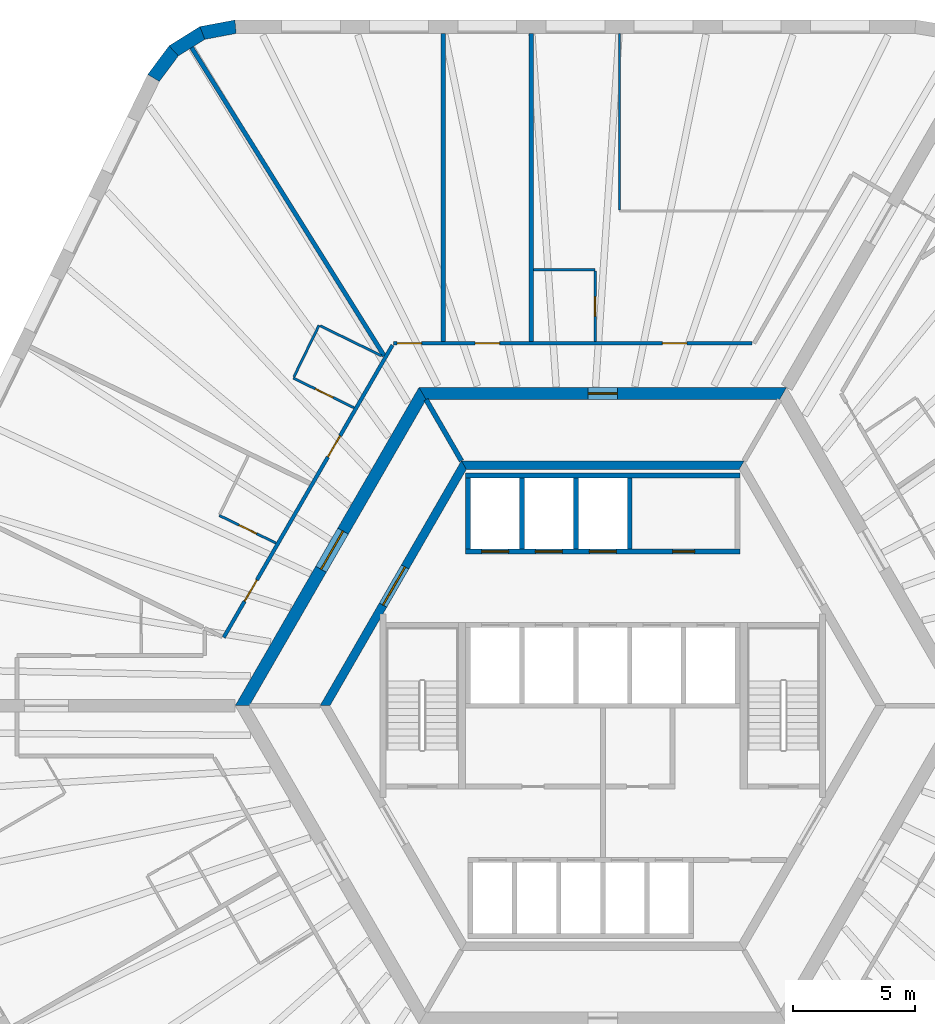
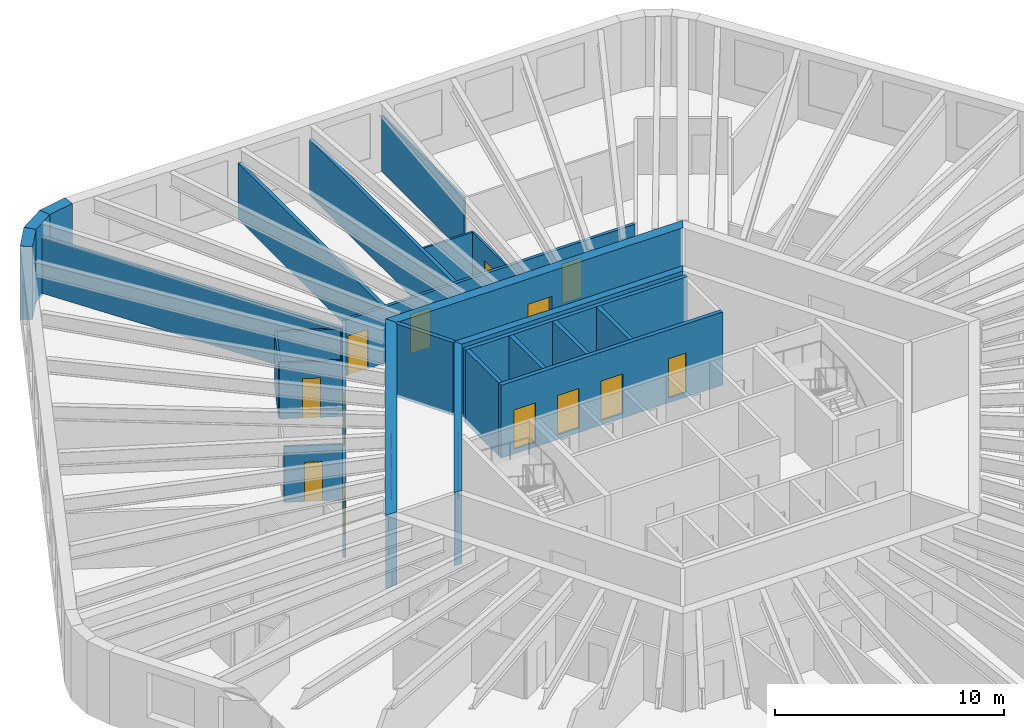
# One storey, part 7 of 10: 26 walls, 15 doors, 15 openings.
"""IFC4 building model written with IfcOpenShell, lengths in metres."""

from ifc_helpers import new_model, si_unit, direction, frame, frame_2d, origin, place, context, subcontext, project, spatial, polyline, rectangle, outline, extrude, material, layer, layer_set, type_object, element, fill, save


model = new_model("IFC4")

# Units and contexts
model_context = context("Model", 3, precision=1e-05, world=origin(), true_north=direction((0.0, 1.0)))
body_context = subcontext(model_context, "Body", "Model", "MODEL_VIEW")
ifc_project = project(units=[si_unit("LENGTHUNIT", "METRE"), si_unit("AREAUNIT", "SQUARE_METRE"), si_unit("VOLUMEUNIT", "CUBIC_METRE"), si_unit("PLANEANGLEUNIT", "RADIAN"), si_unit("MASSUNIT", "GRAM", prefix="KILO")], contexts=[model_context])

# Site, building, storey
site_placement = place(None, origin())
site = spatial("IfcSite", under=ifc_project, at=site_placement, CompositionType="ELEMENT")
building_placement = place(site_placement, origin())
building = spatial("IfcBuilding", under=site, at=building_placement, Name="Tarnside Tower", CompositionType="ELEMENT")
storey_placement = place(building_placement, frame((0.0, 0.0, 230.699951171875)))
storey = spatial("IfcBuildingStorey", under=building, at=storey_placement, Name="L55", CompositionType="ELEMENT", Elevation=230.699951171875)

# Wall
ifc_material_1 = material(Name="Gypsum board partition on steel studs", Category="steel")
ifc_layer_1 = layer(ifc_material_1, 0.10009765625)
ifc_layer_set_1 = layer_set([ifc_layer_1], Name="Bathroom wall 100")
wall_type_1 = type_object("IfcWallType", Name="Bathroom wall 100", PredefinedType="PARTITIONING", material=ifc_layer_set_1)
wall_1_placement = place(storey_placement, frame((-2.827880859375, 17.800048828125, 0.0), z_axis=(0.0, 0.0, 1.0), x_axis=(1.0, 0.0, 0.0)))
element("IfcWall", 1, at=wall_1_placement, inside=storey, type_object=wall_type_1, Name="Bathroom wall 18051", PredefinedType="PARTITIONING", context=body_context, shape_type="SweptSolid", body=[
    extrude(rectangle(XDim=2.510009765625, YDim=0.10009765625, at=frame_2d((1.2548828125, 0.0))), origin(), (0.0, 0.0, 1.0), 2.98779296875),
])

# Wall, opening, door
wall_2_placement = place(storey_placement, frame((-0.31787109375, 17.75, 0.0), z_axis=(0.0, 0.0, 1.0), x_axis=(0.0, -1.0, 0.0)))
wall_2 = element("IfcWall", 2, at=wall_2_placement, inside=storey, type_object=wall_type_1, Name="Bathroom wall 18052", PredefinedType="PARTITIONING", context=body_context, shape_type="SweptSolid", body=[
    extrude(rectangle(XDim=2.875, YDim=0.10009765625, at=frame_2d((1.4375, 0.0))), origin(), (0.0, 0.0, 1.0), 2.98779296875),
])
opening_1_placement = place(wall_2_placement, frame((1.050048828125, 0.0, 0.0)))
opening_1 = element("IfcOpeningElement", 3, at=opening_1_placement, cuts=wall_2, Name="Opening D-B1", PredefinedType="OPENING", context=body_context, shape_type="SweptSolid", body=[
    extrude(rectangle(XDim=0.800048828125, YDim=2.10009765625, at=frame_2d((0.39990234375, 1.050048828125))), frame((0.0, 0.06005859375, 0.0), z_axis=(0.0, -1.0, 0.0), x_axis=(1.0, 0.0, 0.0)), (0.0, 0.0, 1.0), 0.1201171875),
])
ifc_material_2 = material(Name="Timber door leaf", Category="wood")
door_type_1 = type_object("IfcDoorType", Name="Bathroom door 800", OperationType="NOTDEFINED", PredefinedType="DOOR", material=ifc_material_2)
door_1_placement = place(opening_1_placement, origin())
door_1 = element("IfcDoor", 4, at=door_1_placement, inside=storey, type_object=door_type_1, Name="Bathroom door 18002", OperationType="SINGLE_SWING_LEFT", OverallHeight=2.10009765625, OverallWidth=0.800048828125, PredefinedType="DOOR", context=body_context, shape_type="SweptSolid", body=[
    extrude(rectangle(XDim=0.800048828125, YDim=2.10009765625, at=frame_2d((0.39990234375, 1.050048828125))), frame((0.0, 0.02490234375, 0.0), z_axis=(0.0, -1.0, 0.0), x_axis=(1.0, 0.0, 0.0)), (0.0, 0.0, 1.0), 0.050048828125),
])
fill(opening_1, door_1)

wall_3_placement = place(storey_placement, frame((-10.153076171875, 12.164306640625, 0.0), z_axis=(0.0, 0.0, 1.0), x_axis=(-0.898780323471, 0.438399281638, 0.0)))
wall_3 = element("IfcWall", 5, at=wall_3_placement, inside=storey, type_object=wall_type_1, Name="Bathroom wall 18059", PredefinedType="PARTITIONING", context=body_context, shape_type="SweptSolid", body=[
    extrude(rectangle(XDim=2.765625, YDim=0.10009765625, at=frame_2d((1.3828125, 0.0))), origin(), (0.0, 0.0, 1.0), 2.98779296875),
])
opening_2_placement = place(wall_3_placement, frame((0.965576171875, 0.0, 0.0)))
opening_2 = element("IfcOpeningElement", 6, at=opening_2_placement, cuts=wall_3, Name="Opening D-B1", PredefinedType="OPENING", context=body_context, shape_type="SweptSolid", body=[
    extrude(rectangle(XDim=0.800048828125, YDim=2.10009765625, at=frame_2d((0.39990234375, 1.050048828125))), frame((0.0, 0.06005859375, 0.0), z_axis=(0.0, -1.0, 0.0), x_axis=(1.0, 0.0, 0.0)), (0.0, 0.0, 1.0), 0.1201171875),
])
door_2_placement = place(opening_2_placement, origin())
door_2 = element("IfcDoor", 7, at=door_2_placement, inside=storey, type_object=door_type_1, Name="Bathroom door 18007", OperationType="SINGLE_SWING_LEFT", OverallHeight=2.10009765625, OverallWidth=0.800048828125, PredefinedType="DOOR", context=body_context, shape_type="SweptSolid", body=[
    extrude(rectangle(XDim=0.800048828125, YDim=2.10009765625, at=frame_2d((0.39990234375, 1.050048828125))), frame((0.0, 0.02490234375, 0.0), z_axis=(0.0, -1.0, 0.0), x_axis=(1.0, 0.0, 0.0)), (0.0, 0.0, 1.0), 0.050048828125),
])
fill(opening_2, door_2)

# Walls
wall_4_placement = place(storey_placement, frame((-12.61669921875, 13.421630859375, 0.0), z_axis=(0.0, 0.0, 1.0), x_axis=(0.438298773825, 0.898829341345, 0.0)))
element("IfcWall", 8, at=wall_4_placement, inside=storey, type_object=wall_type_1, Name="Bathroom wall 18060", PredefinedType="PARTITIONING", context=body_context, shape_type="SweptSolid", body=[
    extrude(rectangle(XDim=2.35009765625, YDim=0.10009765625, at=frame_2d((1.175048828125, 0.0))), origin(), (0.0, 0.0, 1.0), 2.98779296875),
])
wall_5_placement = place(storey_placement, frame((-11.541748046875, 15.511962890625, 0.0), z_axis=(0.0, 0.0, 1.0), x_axis=(0.898813033265, -0.438332215599, 0.0)))
element("IfcWall", 9, at=wall_5_placement, inside=storey, type_object=wall_type_1, Name="Bathroom wall 18061", PredefinedType="PARTITIONING", context=body_context, shape_type="SweptSolid", body=[
    extrude(rectangle(XDim=2.788818359375, YDim=0.10009765625, at=frame_2d((1.39453125, 0.0))), origin(), (0.0, 0.0, 1.0), 2.98779296875),
])

# Wall, opening, door
wall_6_placement = place(storey_placement, frame((-13.343017578125, 6.63916015625, 0.0), z_axis=(0.0, 0.0, 1.0), x_axis=(-0.898792082907, 0.438375172318, 0.0)))
wall_6 = element("IfcWall", 10, at=wall_6_placement, inside=storey, type_object=wall_type_1, Name="Bathroom wall 18064", PredefinedType="PARTITIONING", context=body_context, shape_type="SweptSolid", body=[
    extrude(rectangle(XDim=2.580810546875, YDim=0.10009765625, at=frame_2d((1.29052734375, 0.0))), origin(), (0.0, 0.0, 1.0), 2.98779296875),
])
opening_3_placement = place(wall_6_placement, frame((0.880859375, 0.0, 0.0)))
opening_3 = element("IfcOpeningElement", 11, at=opening_3_placement, cuts=wall_6, Name="Opening D-B1", PredefinedType="OPENING", context=body_context, shape_type="SweptSolid", body=[
    extrude(rectangle(XDim=0.800048828125, YDim=2.10009765625, at=frame_2d((0.39990234375, 1.050048828125))), frame((0.0, 0.06005859375, 0.0), z_axis=(0.0, -1.0, 0.0), x_axis=(1.0, 0.0, 0.0)), (0.0, 0.0, 1.0), 0.1201171875),
])
door_3_placement = place(opening_3_placement, origin())
door_3 = element("IfcDoor", 12, at=door_3_placement, inside=storey, type_object=door_type_1, Name="Bathroom door 18009", OperationType="SINGLE_SWING_RIGHT", OverallHeight=2.10009765625, OverallWidth=0.800048828125, PredefinedType="DOOR", context=body_context, shape_type="SweptSolid", body=[
    extrude(rectangle(XDim=0.800048828125, YDim=2.10009765625, at=frame_2d((0.39990234375, 1.050048828125))), frame((0.0, 0.02490234375, 0.0), z_axis=(0.0, -1.0, 0.0), x_axis=(1.0, 0.0, 0.0)), (0.0, 0.0, 1.0), 0.050048828125),
])
fill(opening_3, door_3)

ifc_material_3 = material(Name="Concrete C50/60", Category="concrete")
ifc_layer_2 = layer(ifc_material_3, 0.35009765625)
ifc_layer_set_2 = layer_set([ifc_layer_2], Name="Core block wall 350 C50/60")
wall_type_2 = type_object("IfcWallType", Name="Core block wall 350 C50/60", PredefinedType="SHEAR", material=ifc_layer_set_2)
wall_7_placement = place(storey_placement, frame((-5.672607421875, 9.824951171875, -0.14990234375), z_axis=(0.0, 0.0, 1.0), x_axis=(-0.499995046907, -0.866028263435, 0.0)))
wall_7 = element("IfcWall", 13, at=wall_7_placement, inside=storey, type_object=wall_type_2, Name="L55 core block wall face 2", PredefinedType="SHEAR", context=body_context, shape_type="SweptSolid", body=[
    extrude(outline(polyline([(-0.10107421875, -0.175048828125), (11.44580078125, -0.175048828125), (11.24365234375, 0.175048828125), (0.10107421875, 0.175048828125), (-0.10107421875, -0.175048828125)])), origin(), (0.0, 0.0, 1.0), 3.89990234375),
])
opening_4_placement = place(wall_7_placement, frame((4.80126953125, 0.0, 0.14990234375)))
opening_4 = element("IfcOpeningElement", 14, at=opening_4_placement, cuts=wall_7, Name="Opening CD-LOB", PredefinedType="OPENING", context=body_context, shape_type="SweptSolid", body=[
    extrude(rectangle(XDim=1.800048828125, YDim=2.39990234375, at=frame_2d((0.89990234375, 1.199951171875))), frame((0.0, 0.18505859375, 0.0), z_axis=(0.0, -1.0, 0.0), x_axis=(1.0, 0.0, 0.0)), (0.0, 0.0, 1.0), 0.3701171875),
])
ifc_material_4 = material(Name="Steel fire door", Category="steel")
door_type_2 = type_object("IfcDoorType", Name="Lobby double door FD30S 1800x2400", OperationType="NOTDEFINED", PredefinedType="DOOR", material=ifc_material_4)
door_4_placement = place(opening_4_placement, origin())
door_4 = element("IfcDoor", 15, at=door_4_placement, inside=storey, type_object=door_type_2, Name="L55 lobby block door P1", OperationType="DOUBLE_DOOR_SINGLE_SWING", OverallHeight=2.39990234375, OverallWidth=1.800048828125, PredefinedType="DOOR", context=body_context, shape_type="SweptSolid", body=[
    extrude(rectangle(XDim=1.800048828125, YDim=2.39990234375, at=frame_2d((0.89990234375, 1.199951171875))), frame((0.0, 0.02490234375, 0.0), z_axis=(0.0, -1.0, 0.0), x_axis=(1.0, 0.0, 0.0)), (0.0, 0.0, 1.0), 0.050048828125),
])
fill(opening_4, door_4)

# Wall
wall_8_placement = place(storey_placement, frame((5.672607421875, 9.824951171875, -0.14990234375), z_axis=(0.0, 0.0, 1.0), x_axis=(-1.0, 0.0, 0.0)))
element("IfcWall", 16, at=wall_8_placement, inside=storey, type_object=wall_type_2, Name="L55 core block wall face 1", PredefinedType="SHEAR", context=body_context, shape_type="SweptSolid", body=[
    extrude(outline(polyline([(-0.10107421875, -0.175048828125), (11.4462890625, -0.175048828125), (11.244140625, 0.175048828125), (0.10107421875, 0.175048828125), (-0.10107421875, -0.175048828125)])), origin(), (0.0, 0.0, 1.0), 3.89990234375),
])

# Wall, opening, door
ifc_material_5 = material(Name="Concrete C70/85", Category="concrete")
ifc_layer_3 = layer(ifc_material_5, 0.5)
ifc_layer_set_3 = layer_set([ifc_layer_3], Name="Core wall Z2 500 C70/85")
wall_type_3 = type_object("IfcWallType", Name="Core wall Z2 500 C70/85", PredefinedType="SHEAR", material=ifc_layer_set_3)
wall_9_placement = place(storey_placement, frame((-7.361083984375, 12.75, -0.14990234375), z_axis=(0.0, 0.0, 1.0), x_axis=(-0.50000571537, -0.866022103989, 0.0)))
wall_9 = element("IfcWall", 17, at=wall_9_placement, inside=storey, type_object=wall_type_3, Name="L55 core wall face 2", PredefinedType="SHEAR", context=body_context, shape_type="SweptSolid", body=[
    extrude(outline(polyline([(-0.144287109375, -0.25), (14.86669921875, -0.25), (14.578125, 0.25), (0.144287109375, 0.25), (-0.144287109375, -0.25)])), origin(), (0.0, 0.0, 1.0), 3.89990234375),
])
opening_5_placement = place(wall_9_placement, frame((6.489990234375, 0.0, 0.14990234375)))
opening_5 = element("IfcOpeningElement", 18, at=opening_5_placement, cuts=wall_9, Name="Opening CD-LOB", PredefinedType="OPENING", context=body_context, shape_type="SweptSolid", body=[
    extrude(rectangle(XDim=1.800048828125, YDim=2.39990234375, at=frame_2d((0.89990234375, 1.199951171875))), frame((0.0, 0.260009765625, 0.0), z_axis=(0.0, -1.0, 0.0), x_axis=(1.0, 0.0, 0.0)), (0.0, 0.0, 1.0), 0.52001953125),
])
door_5_placement = place(opening_5_placement, origin())
door_5 = element("IfcDoor", 19, at=door_5_placement, inside=storey, type_object=door_type_2, Name="L55 core door P1", OperationType="DOUBLE_DOOR_SINGLE_SWING", OverallHeight=2.39990234375, OverallWidth=1.800048828125, PredefinedType="DOOR", context=body_context, shape_type="SweptSolid", body=[
    extrude(rectangle(XDim=1.800048828125, YDim=2.39990234375, at=frame_2d((0.89990234375, 1.199951171875))), frame((0.0, 0.02490234375, 0.0), z_axis=(0.0, -1.0, 0.0), x_axis=(1.0, 0.0, 0.0)), (0.0, 0.0, 1.0), 0.050048828125),
])
fill(opening_5, door_5)

wall_10_placement = place(storey_placement, frame((7.361083984375, 12.75, -0.14990234375), z_axis=(0.0, 0.0, 1.0), x_axis=(-1.0, 0.0, 0.0)))
wall_10 = element("IfcWall", 20, at=wall_10_placement, inside=storey, type_object=wall_type_3, Name="L55 core wall face 1", PredefinedType="SHEAR", context=body_context, shape_type="SweptSolid", body=[
    extrude(outline(polyline([(-0.144287109375, -0.25), (14.866455078125, -0.25), (14.577880859375, 0.25), (0.144287109375, 0.25), (-0.144287109375, -0.25)])), origin(), (0.0, 0.0, 1.0), 3.89990234375),
])
opening_6_placement = place(wall_10_placement, frame((6.76123046875, 0.0, 0.14990234375)))
opening_6 = element("IfcOpeningElement", 21, at=opening_6_placement, cuts=wall_10, Name="Opening CD-RSR", PredefinedType="OPENING", context=body_context, shape_type="SweptSolid", body=[
    extrude(rectangle(XDim=1.199951171875, YDim=2.39990234375, at=frame_2d((0.60009765625, 1.199951171875))), frame((0.0, 0.260009765625, 0.0), z_axis=(0.0, -1.0, 0.0), x_axis=(1.0, 0.0, 0.0)), (0.0, 0.0, 1.0), 0.52001953125),
])
door_type_3 = type_object("IfcDoorType", Name="Riser door FD60 1200x2400", OperationType="NOTDEFINED", PredefinedType="DOOR", material=ifc_material_4)
door_6_placement = place(opening_6_placement, origin())
door_6 = element("IfcDoor", 22, at=door_6_placement, inside=storey, type_object=door_type_3, Name="L55 core door S5", OperationType="SINGLE_SWING_LEFT", OverallHeight=2.39990234375, OverallWidth=1.199951171875, PredefinedType="DOOR", context=body_context, shape_type="SweptSolid", body=[
    extrude(rectangle(XDim=1.199951171875, YDim=2.39990234375, at=frame_2d((0.60009765625, 1.199951171875))), frame((0.0, 0.02490234375, 0.0), z_axis=(0.0, -1.0, 0.0), x_axis=(1.0, 0.0, 0.0)), (0.0, 0.0, 1.0), 0.050048828125),
])
fill(opening_6, door_6)

# Wall, openings, doors
ifc_layer_4 = layer(ifc_material_1, 0.14990234375)
ifc_layer_set_4 = layer_set([ifc_layer_4], Name="Corridor wall 150 EI 60")
wall_type_4 = type_object("IfcWallType", Name="Corridor wall 150 EI 60", PredefinedType="PARTITIONING", material=ifc_layer_set_4)
wall_11_placement = place(storey_placement, frame((6.091064453125, 14.800048828125, 0.0), z_axis=(0.0, 0.0, 1.0), x_axis=(-1.0, 0.0, 0.0)))
wall_11 = element("IfcWall", 23, at=wall_11_placement, inside=storey, type_object=wall_type_4, Name="Corridor wall 18002", PredefinedType="PARTITIONING", context=body_context, shape_type="SweptSolid", body=[
    extrude(rectangle(XDim=14.6357421875, YDim=0.14990234375, at=frame_2d((7.31787109375, 0.0))), origin(), (0.0, 0.0, 1.0), 2.98779296875),
])
opening_7_placement = place(wall_11_placement, frame((2.6611328125, 0.0, 0.0)))
opening_7 = element("IfcOpeningElement", 24, at=opening_7_placement, cuts=wall_11, Name="Opening D-E1", PredefinedType="OPENING", context=body_context, shape_type="SweptSolid", body=[
    extrude(rectangle(XDim=1.0, YDim=2.10009765625, at=frame_2d((0.5, 1.050048828125))), frame((0.0, 0.0849609375, 0.0), z_axis=(0.0, -1.0, 0.0), x_axis=(1.0, 0.0, 0.0)), (0.0, 0.0, 1.0), 0.169921875),
])
opening_8_placement = place(wall_11_placement, frame((10.308837890625, 0.0, 0.0)))
opening_8 = element("IfcOpeningElement", 25, at=opening_8_placement, cuts=wall_11, Name="Opening D-E1", PredefinedType="OPENING", context=body_context, shape_type="SweptSolid", body=[
    extrude(rectangle(XDim=1.0, YDim=2.10009765625, at=frame_2d((0.5, 1.050048828125))), frame((0.0, 0.0849609375, 0.0), z_axis=(0.0, -1.0, 0.0), x_axis=(1.0, 0.0, 0.0)), (0.0, 0.0, 1.0), 0.169921875),
])
opening_9_placement = place(wall_11_placement, frame((13.48583984375, 0.0, 0.0)))
opening_9 = element("IfcOpeningElement", 26, at=opening_9_placement, cuts=wall_11, Name="Opening D-E1", PredefinedType="OPENING", context=body_context, shape_type="SweptSolid", body=[
    extrude(rectangle(XDim=1.0, YDim=2.10009765625, at=frame_2d((0.5, 1.050048828125))), frame((0.0, 0.0849609375, 0.0), z_axis=(0.0, -1.0, 0.0), x_axis=(1.0, 0.0, 0.0)), (0.0, 0.0, 1.0), 0.169921875),
])
door_type_4 = type_object("IfcDoorType", Name="Unit entrance door 1000 FD30S", OperationType="NOTDEFINED", PredefinedType="DOOR", material=ifc_material_2)
door_7_placement = place(opening_7_placement, origin())
door_7 = element("IfcDoor", 27, at=door_7_placement, inside=storey, type_object=door_type_4, Name="Unit door 18001", OperationType="SINGLE_SWING_RIGHT", OverallHeight=2.10009765625, OverallWidth=1.0, PredefinedType="DOOR", context=body_context, shape_type="SweptSolid", body=[
    extrude(rectangle(XDim=1.0, YDim=2.10009765625, at=frame_2d((0.5, 1.050048828125))), frame((0.0, 0.02490234375, 0.0), z_axis=(0.0, -1.0, 0.0), x_axis=(1.0, 0.0, 0.0)), (0.0, 0.0, 1.0), 0.050048828125),
])
fill(opening_7, door_7)
door_8_placement = place(opening_8_placement, origin())
door_8 = element("IfcDoor", 28, at=door_8_placement, inside=storey, type_object=door_type_4, Name="Unit door 18004", OperationType="SINGLE_SWING_RIGHT", OverallHeight=2.10009765625, OverallWidth=1.0, PredefinedType="DOOR", context=body_context, shape_type="SweptSolid", body=[
    extrude(rectangle(XDim=1.0, YDim=2.10009765625, at=frame_2d((0.5, 1.050048828125))), frame((0.0, 0.02490234375, 0.0), z_axis=(0.0, -1.0, 0.0), x_axis=(1.0, 0.0, 0.0)), (0.0, 0.0, 1.0), 0.050048828125),
])
fill(opening_8, door_8)
door_9_placement = place(opening_9_placement, origin())
door_9 = element("IfcDoor", 29, at=door_9_placement, inside=storey, type_object=door_type_4, Name="Unit door 18005", OperationType="SINGLE_SWING_LEFT", OverallHeight=2.10009765625, OverallWidth=1.0, PredefinedType="DOOR", context=body_context, shape_type="SweptSolid", body=[
    extrude(rectangle(XDim=1.0, YDim=2.10009765625, at=frame_2d((0.5, 1.050048828125))), frame((0.0, 0.02490234375, 0.0), z_axis=(0.0, -1.0, 0.0), x_axis=(1.0, 0.0, 0.0)), (0.0, 0.0, 1.0), 0.050048828125),
])
fill(opening_9, door_9)

wall_12_placement = place(storey_placement, frame((-8.588134765625, 14.72509765625, 0.0), z_axis=(0.0, 0.0, 1.0), x_axis=(-0.499999926766, -0.866025446066, 0.0)))
wall_12 = element("IfcWall", 30, at=wall_12_placement, inside=storey, type_object=wall_type_4, Name="Corridor wall 18008", PredefinedType="PARTITIONING", context=body_context, shape_type="SweptSolid", body=[
    extrude(rectangle(XDim=13.78564453125, YDim=0.14990234375, at=frame_2d((6.892822265625, 0.0))), origin(), (0.0, 0.0, 1.0), 2.98779296875),
])
opening_10_placement = place(wall_12_placement, frame((4.275634765625, 0.0, 0.0)))
opening_10 = element("IfcOpeningElement", 31, at=opening_10_placement, cuts=wall_12, Name="Opening D-E1", PredefinedType="OPENING", context=body_context, shape_type="SweptSolid", body=[
    extrude(rectangle(XDim=1.0, YDim=2.10009765625, at=frame_2d((0.5, 1.050048828125))), frame((0.0, 0.0849609375, 0.0), z_axis=(0.0, -1.0, 0.0), x_axis=(1.0, 0.0, 0.0)), (0.0, 0.0, 1.0), 0.169921875),
])
opening_11_placement = place(wall_12_placement, frame((11.073486328125, 0.0, 0.0)))
opening_11 = element("IfcOpeningElement", 32, at=opening_11_placement, cuts=wall_12, Name="Opening D-E1", PredefinedType="OPENING", context=body_context, shape_type="SweptSolid", body=[
    extrude(rectangle(XDim=1.0, YDim=2.10009765625, at=frame_2d((0.5, 1.050048828125))), frame((0.0, 0.0849609375, 0.0), z_axis=(0.0, -1.0, 0.0), x_axis=(1.0, 0.0, 0.0)), (0.0, 0.0, 1.0), 0.169921875),
])
door_10_placement = place(opening_10_placement, origin())
door_10 = element("IfcDoor", 33, at=door_10_placement, inside=storey, type_object=door_type_4, Name="Unit door 18006", OperationType="SINGLE_SWING_LEFT", OverallHeight=2.10009765625, OverallWidth=1.0, PredefinedType="DOOR", context=body_context, shape_type="SweptSolid", body=[
    extrude(rectangle(XDim=1.0, YDim=2.10009765625, at=frame_2d((0.5, 1.050048828125))), frame((0.0, 0.02490234375, 0.0), z_axis=(0.0, -1.0, 0.0), x_axis=(1.0, 0.0, 0.0)), (0.0, 0.0, 1.0), 0.050048828125),
])
fill(opening_10, door_10)
door_11_placement = place(opening_11_placement, origin())
door_11 = element("IfcDoor", 34, at=door_11_placement, inside=storey, type_object=door_type_4, Name="Unit door 18008", OperationType="SINGLE_SWING_LEFT", OverallHeight=2.10009765625, OverallWidth=1.0, PredefinedType="DOOR", context=body_context, shape_type="SweptSolid", body=[
    extrude(rectangle(XDim=1.0, YDim=2.10009765625, at=frame_2d((0.5, 1.050048828125))), frame((0.0, 0.02490234375, 0.0), z_axis=(0.0, -1.0, 0.0), x_axis=(1.0, 0.0, 0.0)), (0.0, 0.0, 1.0), 0.050048828125),
])
fill(opening_11, door_11)

# Walls
ifc_layer_5 = layer(ifc_material_1, 0.179931640625)
ifc_layer_set_5 = layer_set([ifc_layer_5], Name="Demising wall 180 EI 60")
wall_type_5 = type_object("IfcWallType", Name="Demising wall 180 EI 60", PredefinedType="PARTITIONING", material=ifc_layer_set_5)
for number, where, z_axis, x_axis, name in (
    (35, (-2.91796875, 27.449951171875, 0.0), (0.0, 0.0, 1.0), (0.0, -1.0, 0.0), "Demising wall 18055"),
    (36, (-6.517822265625, 27.449951171875, 0.0), (0.0, 0.0, 1.0), (0.0, -1.0, 0.0), "Demising wall 18057"),
):
    element("IfcWall", number, at=place(storey_placement, frame(where, z_axis=z_axis, x_axis=x_axis)), inside=storey, type_object=wall_type_5, Name=name, PredefinedType="PARTITIONING", context=body_context, shape_type="SweptSolid", body=[
        extrude(rectangle(XDim=12.574951171875, YDim=0.179931640625, at=frame_2d((6.28759765625, 0.0))), origin(), (0.0, 0.0, 1.0), 2.98779296875),
    ])
wall_13_placement = place(storey_placement, frame((-16.791015625, 26.87109375, 0.0), z_axis=(0.0, 0.0, 1.0), x_axis=(0.529927950822, -0.848042668111, 0.0)))
element("IfcWall", 37, at=wall_13_placement, inside=storey, type_object=wall_type_5, Name="Demising wall 18058", PredefinedType="PARTITIONING", context=body_context, shape_type="SweptSolid", body=[
    extrude(rectangle(XDim=14.8388671875, YDim=0.179931640625, at=frame_2d((7.41943359375, 0.0))), origin(), (0.0, 0.0, 1.0), 2.98779296875),
])

# Wall, openings, doors
ifc_material_6 = material(Name="Concrete C40/50", Category="concrete")
ifc_layer_6 = layer(ifc_material_6, 0.199951171875)
ifc_layer_set_6 = layer_set([ifc_layer_6], Name="Lift shaft wall 200 C40/50")
wall_type_6 = type_object("IfcWallType", Name="Lift shaft wall 200 C40/50", PredefinedType="SHEAR", material=ifc_layer_set_6)
wall_14_placement = place(storey_placement, frame((-5.60009765625, 6.300048828125, -0.25), z_axis=(0.0, 0.0, 1.0), x_axis=(1.0, 0.0, 0.0)))
wall_14 = element("IfcWall", 38, at=wall_14_placement, inside=storey, type_object=wall_type_6, Name="L55 lift shaft front wall R1", PredefinedType="SHEAR", context=body_context, shape_type="SweptSolid", body=[
    extrude(rectangle(XDim=11.2001953125, YDim=0.199951171875, at=frame_2d((5.60009765625, 0.0))), origin(), (0.0, 0.0, 1.0), 3.900146484375),
])
opening_12_placement = place(wall_14_placement, frame((8.449951171875, 0.0, 0.25)))
opening_12 = element("IfcOpeningElement", 39, at=opening_12_placement, cuts=wall_14, Name="Opening CD-room", PredefinedType="OPENING", context=body_context, shape_type="SweptSolid", body=[
    extrude(rectangle(XDim=0.89990234375, YDim=2.10009765625, at=frame_2d((0.449951171875, 1.050048828125))), frame((0.0, 0.10986328125, 0.0), z_axis=(0.0, -1.0, 0.0), x_axis=(1.0, 0.0, 0.0)), (0.0, 0.0, 1.0), 0.219970703125),
])
opening_13_placement = place(wall_14_placement, frame((0.64990234375, 0.0, 0.25)))
opening_13 = element("IfcOpeningElement", 40, at=opening_13_placement, cuts=wall_14, Name="Opening LD", PredefinedType="OPENING", context=body_context, shape_type="SweptSolid", body=[
    extrude(rectangle(XDim=1.10009765625, YDim=2.10009765625, at=frame_2d((0.550048828125, 1.050048828125))), frame((0.0, 0.10986328125, 0.0), z_axis=(0.0, -1.0, 0.0), x_axis=(1.0, 0.0, 0.0)), (0.0, 0.0, 1.0), 0.219970703125),
])
opening_14_placement = place(wall_14_placement, frame((2.85009765625, 0.0, 0.25)))
opening_14 = element("IfcOpeningElement", 41, at=opening_14_placement, cuts=wall_14, Name="Opening LD", PredefinedType="OPENING", context=body_context, shape_type="SweptSolid", body=[
    extrude(rectangle(XDim=1.10009765625, YDim=2.10009765625, at=frame_2d((0.550048828125, 1.050048828125))), frame((0.0, 0.10986328125, 0.0), z_axis=(0.0, -1.0, 0.0), x_axis=(1.0, 0.0, 0.0)), (0.0, 0.0, 1.0), 0.219970703125),
])
opening_15_placement = place(wall_14_placement, frame((5.050048828125, 0.0, 0.25)))
opening_15 = element("IfcOpeningElement", 42, at=opening_15_placement, cuts=wall_14, Name="Opening LD", PredefinedType="OPENING", context=body_context, shape_type="SweptSolid", body=[
    extrude(rectangle(XDim=1.10009765625, YDim=2.10009765625, at=frame_2d((0.550048828125, 1.050048828125))), frame((0.0, 0.10986328125, 0.0), z_axis=(0.0, -1.0, 0.0), x_axis=(1.0, 0.0, 0.0)), (0.0, 0.0, 1.0), 0.219970703125),
])
ifc_material_7 = material(Name="Stainless steel", Category="steel")
door_type_5 = type_object("IfcDoorType", Name="Lift landing door 1100x2100", OperationType="NOTDEFINED", PredefinedType="DOOR", material=ifc_material_7)
door_12_placement = place(opening_13_placement, origin())
door_12 = element("IfcDoor", 43, at=door_12_placement, inside=storey, type_object=door_type_5, Name="Mid-rise lift 1 landing door L55", OperationType="SLIDING_TO_LEFT", OverallHeight=2.10009765625, OverallWidth=1.10009765625, PredefinedType="DOOR", context=body_context, shape_type="SweptSolid", body=[
    extrude(rectangle(XDim=1.10009765625, YDim=2.10009765625, at=frame_2d((0.550048828125, 1.050048828125))), frame((0.0, 0.02490234375, 0.0), z_axis=(0.0, -1.0, 0.0), x_axis=(1.0, 0.0, 0.0)), (0.0, 0.0, 1.0), 0.050048828125),
])
fill(opening_13, door_12)
door_13_placement = place(opening_14_placement, origin())
door_13 = element("IfcDoor", 44, at=door_13_placement, inside=storey, type_object=door_type_5, Name="Mid-rise lift 2 landing door L55", OperationType="SLIDING_TO_LEFT", OverallHeight=2.10009765625, OverallWidth=1.10009765625, PredefinedType="DOOR", context=body_context, shape_type="SweptSolid", body=[
    extrude(rectangle(XDim=1.10009765625, YDim=2.10009765625, at=frame_2d((0.550048828125, 1.050048828125))), frame((0.0, 0.02490234375, 0.0), z_axis=(0.0, -1.0, 0.0), x_axis=(1.0, 0.0, 0.0)), (0.0, 0.0, 1.0), 0.050048828125),
])
fill(opening_14, door_13)
door_14_placement = place(opening_15_placement, origin())
door_14 = element("IfcDoor", 45, at=door_14_placement, inside=storey, type_object=door_type_5, Name="Mid-rise lift 3 landing door L55", OperationType="SLIDING_TO_LEFT", OverallHeight=2.10009765625, OverallWidth=1.10009765625, PredefinedType="DOOR", context=body_context, shape_type="SweptSolid", body=[
    extrude(rectangle(XDim=1.10009765625, YDim=2.10009765625, at=frame_2d((0.550048828125, 1.050048828125))), frame((0.0, 0.02490234375, 0.0), z_axis=(0.0, -1.0, 0.0), x_axis=(1.0, 0.0, 0.0)), (0.0, 0.0, 1.0), 0.050048828125),
])
fill(opening_15, door_14)
door_type_6 = type_object("IfcDoorType", Name="Room door FD60 900x2100", OperationType="NOTDEFINED", PredefinedType="DOOR", material=ifc_material_4)
door_15_placement = place(opening_12_placement, origin())
door_15 = element("IfcDoor", 46, at=door_15_placement, inside=storey, type_object=door_type_6, Name="L55 core room door FC1", OperationType="SINGLE_SWING_LEFT", OverallHeight=2.10009765625, OverallWidth=0.89990234375, PredefinedType="DOOR", context=body_context, shape_type="SweptSolid", body=[
    extrude(rectangle(XDim=0.89990234375, YDim=2.10009765625, at=frame_2d((0.449951171875, 1.050048828125))), frame((0.0, 0.02490234375, 0.0), z_axis=(0.0, -1.0, 0.0), x_axis=(1.0, 0.0, 0.0)), (0.0, 0.0, 1.0), 0.050048828125),
])
fill(opening_12, door_15)

# Walls
wall_15_placement = place(storey_placement, frame((-5.60009765625, 9.39990234375, -0.25), z_axis=(0.0, 0.0, 1.0), x_axis=(1.0, 0.0, 0.0)))
element("IfcWall", 47, at=wall_15_placement, inside=storey, type_object=wall_type_6, Name="L55 lift shaft back wall R1", PredefinedType="SHEAR", context=body_context, shape_type="SweptSolid", body=[
    extrude(rectangle(XDim=11.2001953125, YDim=0.199951171875, at=frame_2d((5.60009765625, 0.0))), origin(), (0.0, 0.0, 1.0), 3.900146484375),
])
for number, where, z_axis, x_axis, name in (
    (48, (-5.5, 6.39990234375, -0.25), (0.0, 0.0, 1.0), (0.0, 1.0, 0.0), "L55 lift shaft partition R11"),
    (49, (-3.300048828125, 6.39990234375, -0.25), (0.0, 0.0, 1.0), (0.0, 1.0, 0.0), "L55 lift shaft partition R12"),
    (50, (-1.10009765625, 6.39990234375, -0.25), (0.0, 0.0, 1.0), (0.0, 1.0, 0.0), "L55 lift shaft partition R13"),
    (51, (1.10009765625, 6.39990234375, -0.25), (0.0, 0.0, 1.0), (0.0, 1.0, 0.0), "L55 lift shaft partition R14"),
):
    element("IfcWall", number, at=place(storey_placement, frame(where, z_axis=z_axis, x_axis=x_axis)), inside=storey, type_object=wall_type_6, Name=name, PredefinedType="SHEAR", context=body_context, shape_type="SweptSolid", body=[
        extrude(rectangle(XDim=2.900146484375, YDim=0.199951171875, at=frame_2d((1.4501953125, 0.0))), origin(), (0.0, 0.0, 1.0), 3.900146484375),
    ])
wall_16_placement = place(storey_placement, frame((-5.7734375, 10.0, -0.14990234375), z_axis=(0.0, 0.0, 1.0), x_axis=(-0.499995765644, 0.866027848477, 0.0)))
element("IfcWall", 52, at=wall_16_placement, inside=storey, type_object=wall_type_6, Name="L55 core partition AR120", PredefinedType="SHEAR", context=body_context, shape_type="SweptSolid", body=[
    extrude(rectangle(XDim=2.88671875, YDim=0.199951171875, at=frame_2d((1.443359375, 0.0))), origin(), (0.0, 0.0, 1.0), 3.89990234375),
])
ifc_layer_7 = layer(ifc_material_1, 0.10009765625)
ifc_layer_set_7 = layer_set([ifc_layer_7], Name="Partition 100")
wall_type_7 = type_object("IfcWallType", Name="Partition 100", PredefinedType="PARTITIONING", material=ifc_layer_set_7)
wall_17_placement = place(storey_placement, frame((0.68212890625, 20.25, 0.0), z_axis=(0.0, 0.0, 1.0), x_axis=(0.0, 1.0, 0.0)))
element("IfcWall", 53, at=wall_17_placement, inside=storey, type_object=wall_type_7, Name="Partition wall 18054", PredefinedType="PARTITIONING", context=body_context, shape_type="SweptSolid", body=[
    extrude(rectangle(XDim=7.199951171875, YDim=0.10009765625, at=frame_2d((3.60009765625, 0.0))), origin(), (0.0, 0.0, 1.0), 2.98779296875),
])
ifc_material_8 = material(Name="Facing brick", Category="masonry")
ifc_layer_8 = layer(ifc_material_8, 0.10205078125)
ifc_material_9 = material(Name="Concrete C60/75 precast", Category="concrete")
ifc_layer_9 = layer(ifc_material_9, 0.347900390625)
ifc_material_10 = material(Name="Mineral wool insulation")
ifc_layer_10 = layer(ifc_material_10, 0.10009765625)
ifc_layer_set_8 = layer_set([ifc_layer_8, ifc_layer_9, ifc_layer_10], Name="Tube wall 550 brick faced")
wall_type_8 = type_object("IfcWallType", Name="Tube wall 550 brick faced", PredefinedType="SOLIDWALL", material=ifc_layer_set_8)
wall_18_placement = place(storey_placement, frame((-14.996826171875, 27.72509765625, -0.14990234375), z_axis=(0.0, 0.0, 1.0), x_axis=(-0.982705443133, -0.185175624845, 0.0)))
element("IfcWall", 54, at=wall_18_placement, inside=storey, type_object=wall_type_8, Name="Tube wall L55 F1 chord 01", PredefinedType="SOLIDWALL", context=body_context, shape_type="SweptSolid", body=[
    extrude(outline(polyline([(-0.025634765625, -0.27490234375), (1.430908203125, -0.27490234375), (1.327392578125, 0.27490234375), (0.025634765625, 0.27490234375), (-0.025634765625, -0.27490234375)])), origin(), (0.0, 0.0, 1.0), 3.89990234375),
])
wall_19_placement = place(storey_placement, frame((-16.35205078125, 27.4697265625, -0.14990234375), z_axis=(0.0, 0.0, 1.0), x_axis=(-0.848057977594, -0.5299034503, 0.0)))
element("IfcWall", 55, at=wall_19_placement, inside=storey, type_object=wall_type_8, Name="Tube wall L55 F1 chord 02", PredefinedType="SOLIDWALL", context=body_context, shape_type="SweptSolid", body=[
    extrude(outline(polyline([(-0.0517578125, -0.27490234375), (1.4306640625, -0.27490234375), (1.3271484375, 0.27490234375), (0.0517578125, 0.27490234375), (-0.0517578125, -0.27490234375)])), origin(), (0.0, 0.0, 1.0), 3.89990234375),
])
wall_20_placement = place(storey_placement, frame((-17.521484375, 26.739013671875, -0.14990234375), z_axis=(0.0, 0.0, 1.0), x_axis=(-0.597135295884, -0.802140535324, 0.0)))
element("IfcWall", 56, at=wall_20_placement, inside=storey, type_object=wall_type_8, Name="Tube wall L55 F1 chord 03", PredefinedType="SOLIDWALL", context=body_context, shape_type="SweptSolid", body=[
    extrude(outline(polyline([(-0.0517578125, -0.27490234375), (1.40478515625, -0.27490234375), (1.353515625, 0.27490234375), (0.0517578125, 0.27490234375), (-0.0517578125, -0.27490234375)])), origin(), (0.0, 0.0, 1.0), 3.89990234375),
])

save(model, "model.ifc")
